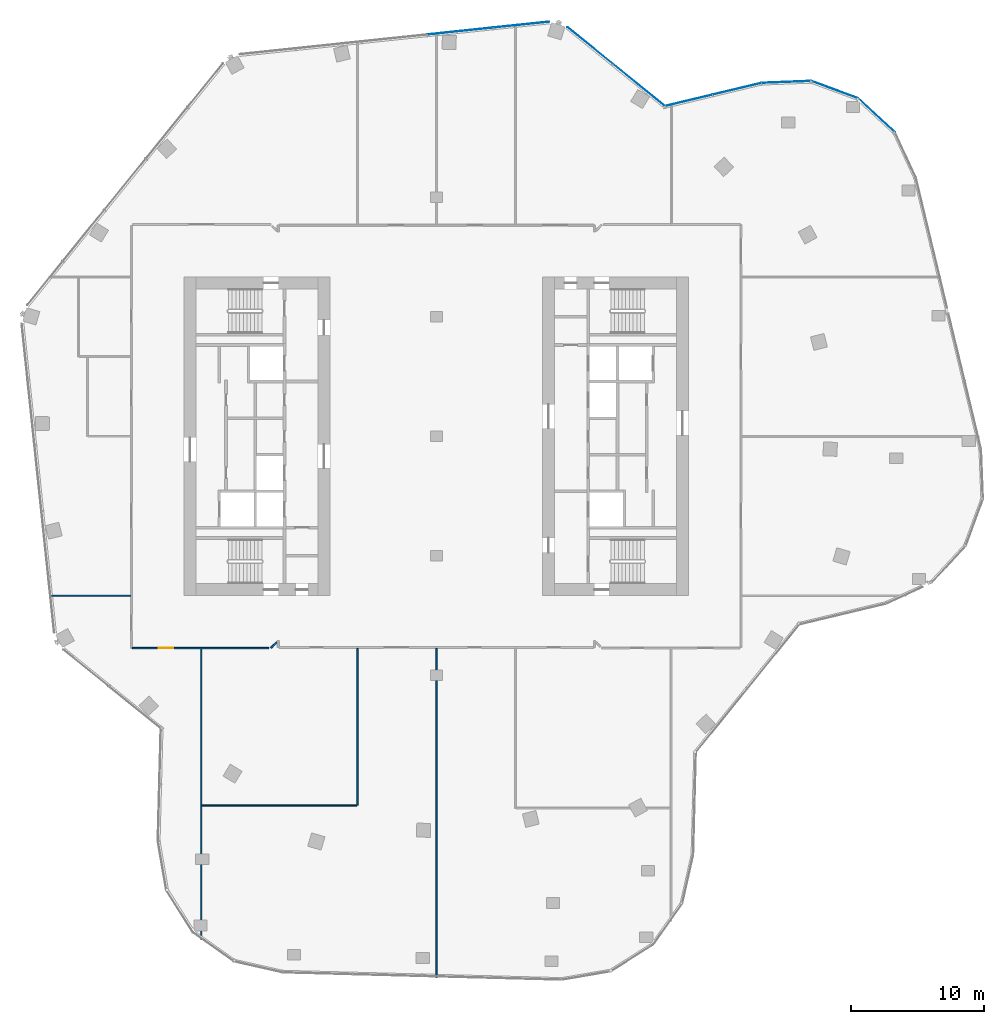
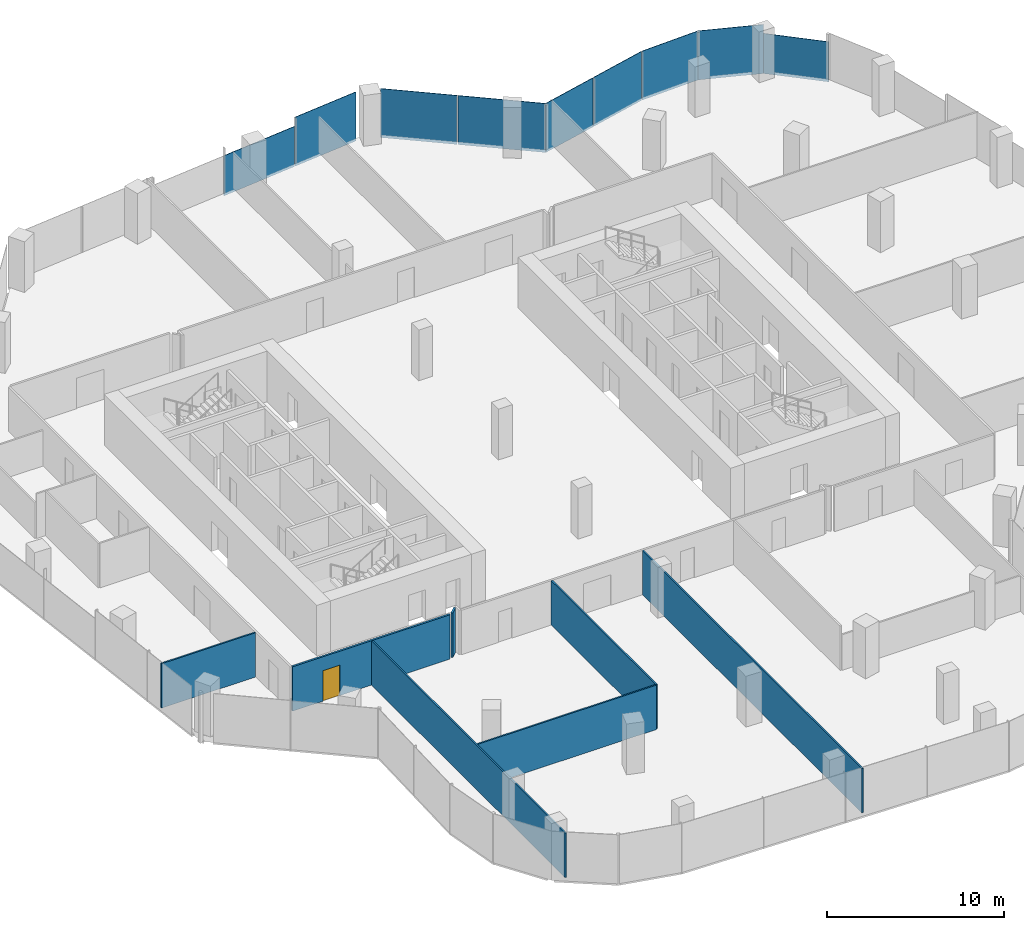
# One storey, part 17 of 23: 9 plates, 7 walls, 1 door, 1 opening, 6 elements without a shape of their own.
"""IFC4 building model written with IfcOpenShell, lengths in metres."""

from ifc_helpers import new_model, si_unit, direction, frame, frame_2d, origin, origin_2d, place, context, subcontext, project, spatial, rectangle, extrude, material, layer, layer_set, type_object, element, fill, aggregate, save


model = new_model("IFC4")

# Units and contexts
model_context = context("Model", 3, precision=1e-05, world=origin(), true_north=direction((0.0, 1.0)))
body_context = subcontext(model_context, "Body", "Model", "MODEL_VIEW")
ifc_project = project(units=[si_unit("LENGTHUNIT", "METRE"), si_unit("AREAUNIT", "SQUARE_METRE"), si_unit("VOLUMEUNIT", "CUBIC_METRE"), si_unit("PLANEANGLEUNIT", "RADIAN"), si_unit("MASSUNIT", "GRAM", prefix="KILO")], contexts=[model_context])

# Site, building, storey
site_placement = place(None, origin())
site = spatial("IfcSite", under=ifc_project, at=site_placement, CompositionType="ELEMENT")
building_placement = place(site_placement, origin())
building = spatial("IfcBuilding", under=site, at=building_placement, Name="Orlundy Tower", CompositionType="ELEMENT")
storey_placement = place(building_placement, frame((0.0, 0.0, 224.5)))
storey = spatial("IfcBuildingStorey", under=building, at=storey_placement, Name="L59", CompositionType="ELEMENT", Elevation=224.5)

# Curtain wall, plates
ifc_material_1 = material(Name="Aluminium bronze anodised", Category="aluminium")
curtain_wall_type = type_object("IfcCurtainWallType", Name="CW1 wall", PredefinedType="NOTDEFINED", material=ifc_material_1)
curtain_wall_1_placement = place(storey_placement, origin())
curtain_wall_1 = element("IfcCurtainWall", 1, at=curtain_wall_1_placement, inside=storey, type_object=curtain_wall_type, Name="CW1 run 04", PredefinedType="NOTDEFINED")
ifc_material_2 = material(Name="Tinted glass", Category="glass")
ifc_layer_1 = layer(ifc_material_2, 0.031982421875)
ifc_layer_set_1 = layer_set([ifc_layer_1], Name="CW1 glass panel 32")
plate_type = type_object("IfcPlateType", Name="CW1 glass panel 32", PredefinedType="CURTAIN_PANEL", material=ifc_layer_set_1)
plate_1_placement = place(storey_placement, frame((1.7900390625, 30.518798828125, -0.2998046875), z_axis=(0.0, 0.0, 1.0), x_axis=(0.994520875843, 0.104538162943, 0.0)))
plate_1 = element("IfcPlate", 2, at=plate_1_placement, type_object=plate_type, Name="CW1 panel", PredefinedType="CURTAIN_PANEL", context=body_context, shape_type="SweptSolid", body=[
    extrude(rectangle(XDim=4.92041015625, YDim=0.031982421875, at=origin_2d()), origin(), (0.0, 0.0, 1.0), 2.763916015625),
])
plate_2_placement = place(storey_placement, frame((6.3896484375, 31.002197265625, -0.300048828125), z_axis=(0.0, 0.0, 1.0), x_axis=(0.994520875843, 0.104538162943, 0.0)))
plate_2 = element("IfcPlate", 3, at=plate_2_placement, type_object=plate_type, Name="CW1 panel", PredefinedType="CURTAIN_PANEL", context=body_context, shape_type="SweptSolid", body=[
    extrude(rectangle(XDim=4.229248046875, YDim=0.031982421875, at=origin_2d()), origin(), (0.0, 0.0, 1.0), 3.3798828125),
])
aggregate(curtain_wall_1, [plate_1, plate_2])

curtain_wall_2_placement = place(storey_placement, origin())
curtain_wall_2 = element("IfcCurtainWall", 4, at=curtain_wall_2_placement, inside=storey, type_object=curtain_wall_type, Name="CW1 run 05", PredefinedType="NOTDEFINED")
plate_3_placement = place(storey_placement, frame((11.583251953125, 29.433837890625, -0.300048828125), z_axis=(0.0, 0.0, 1.0), x_axis=(0.777128847743, -0.629341524139, 0.0)))
plate_3 = element("IfcPlate", 5, at=plate_3_placement, type_object=plate_type, Name="CW1 panel", PredefinedType="CURTAIN_PANEL", context=body_context, shape_type="SweptSolid", body=[
    extrude(rectangle(XDim=4.37646484375, YDim=0.031982421875, at=origin_2d()), origin(), (0.0, 0.0, 1.0), 3.3798828125),
])
plate_4_placement = place(storey_placement, frame((15.2705078125, 26.44775390625, -0.300048828125), z_axis=(0.0, 0.0, 1.0), x_axis=(0.777128847743, -0.629341524139, 0.0)))
plate_4 = element("IfcPlate", 6, at=plate_4_placement, type_object=plate_type, Name="CW1 panel", PredefinedType="CURTAIN_PANEL", context=body_context, shape_type="SweptSolid", body=[
    extrude(rectangle(XDim=5.012939453125, YDim=0.031982421875, at=origin_2d()), origin(), (0.0, 0.0, 1.0), 3.3798828125),
])
aggregate(curtain_wall_2, [plate_3, plate_4])

curtain_wall_3_placement = place(storey_placement, origin())
curtain_wall_3 = element("IfcCurtainWall", 7, at=curtain_wall_3_placement, inside=storey, type_object=curtain_wall_type, Name="CW1 run 06", PredefinedType="NOTDEFINED")
plate_5_placement = place(storey_placement, frame((18.997802734375, 25.2978515625, -0.300048828125), z_axis=(0.0, 0.0, 1.0), x_axis=(0.972349931339, 0.233528608579, 0.0)))
plate_5 = element("IfcPlate", 8, at=plate_5_placement, type_object=plate_type, Name="CW1 panel", PredefinedType="CURTAIN_PANEL", context=body_context, shape_type="SweptSolid", body=[
    extrude(rectangle(XDim=3.66015625, YDim=0.031982421875, at=origin_2d()), origin(), (0.0, 0.0, 1.0), 3.3798828125),
])
plate_6_placement = place(storey_placement, frame((22.640625, 26.172607421875, -0.300048828125), z_axis=(0.0, 0.0, 1.0), x_axis=(0.972349931339, 0.233528608579, 0.0)))
plate_6 = element("IfcPlate", 9, at=plate_6_placement, type_object=plate_type, Name="CW1 panel", PredefinedType="CURTAIN_PANEL", context=body_context, shape_type="SweptSolid", body=[
    extrude(rectangle(XDim=3.732177734375, YDim=0.031982421875, at=origin_2d()), origin(), (0.0, 0.0, 1.0), 3.3798828125),
])
aggregate(curtain_wall_3, [plate_5, plate_6])

# Curtain wall, plate
curtain_wall_4_placement = place(storey_placement, origin())
curtain_wall_4 = element("IfcCurtainWall", 10, at=curtain_wall_4_placement, inside=storey, type_object=curtain_wall_type, Name="CW1 run 07", PredefinedType="NOTDEFINED")
plate_7_placement = place(storey_placement, frame((26.368408203125, 26.688232421875, -0.300048828125), z_axis=(0.0, 0.0, 1.0), x_axis=(0.999234640913, 0.039116906831, 0.0)))
plate_7 = element("IfcPlate", 11, at=plate_7_placement, type_object=plate_type, Name="CW1 panel", PredefinedType="CURTAIN_PANEL", context=body_context, shape_type="SweptSolid", body=[
    extrude(rectangle(XDim=3.73046875, YDim=0.031982421875, at=origin_2d()), origin(), (0.0, 0.0, 1.0), 3.3798828125),
])
aggregate(curtain_wall_4, [plate_7])

curtain_wall_5_placement = place(storey_placement, origin())
curtain_wall_5 = element("IfcCurtainWall", 12, at=curtain_wall_5_placement, inside=storey, type_object=curtain_wall_type, Name="CW1 run 08", PredefinedType="NOTDEFINED")
plate_8_placement = place(storey_placement, frame((30.001708984375, 26.1083984375, -0.300048828125), z_axis=(0.0, 0.0, 1.0), x_axis=(0.938200265188, -0.346092852283, 0.0)))
plate_8 = element("IfcPlate", 13, at=plate_8_placement, type_object=plate_type, Name="CW1 panel", PredefinedType="CURTAIN_PANEL", context=body_context, shape_type="SweptSolid", body=[
    extrude(rectangle(XDim=3.772216796875, YDim=0.031982421875, at=origin_2d()), origin(), (0.0, 0.0, 1.0), 3.3798828125),
])
aggregate(curtain_wall_5, [plate_8])

curtain_wall_6_placement = place(storey_placement, origin())
curtain_wall_6 = element("IfcCurtainWall", 14, at=curtain_wall_6_placement, inside=storey, type_object=curtain_wall_type, Name="CW1 run 09", PredefinedType="NOTDEFINED")
plate_9_placement = place(storey_placement, frame((33.15625, 24.175537109375, -0.2998046875), z_axis=(0.0, 0.0, 1.0), x_axis=(0.734348182738, -0.678772971258, 0.0)))
plate_9 = element("IfcPlate", 15, at=plate_9_placement, type_object=plate_type, Name="CW1 panel", PredefinedType="CURTAIN_PANEL", context=body_context, shape_type="SweptSolid", body=[
    extrude(rectangle(XDim=3.77197265625, YDim=0.031982421875, at=origin_2d()), origin(), (0.0, 0.0, 1.0), 2.763916015625),
])
aggregate(curtain_wall_6, [plate_9])

# Walls
ifc_material_3 = material(Name="Gypsum board partition")
ifc_layer_2 = layer(ifc_material_3, 0.10009765625)
ifc_layer_set_2 = layer_set([ifc_layer_2], Name="Floor partition 100")
wall_type_1 = type_object("IfcWallType", Name="Floor partition 100", PredefinedType="PARTITIONING", material=ifc_layer_set_2)
wall_1_placement = place(storey_placement, frame((-17.654052734375, -27.800048828125, 0.0), z_axis=(0.0, 0.0, 1.0), x_axis=(1.0, 0.0, 0.0)))
element("IfcWall", 16, at=wall_1_placement, inside=storey, type_object=wall_type_1, Name="wall-int-L59-004", PredefinedType="PARTITIONING", context=body_context, shape_type="SweptSolid", body=[
    extrude(rectangle(XDim=11.655029296875, YDim=0.10009765625, at=frame_2d((5.82763671875, 0.0))), origin(), (0.0, 0.0, 1.0), 3.06005859375),
])
wall_2_placement = place(storey_placement, frame((-29.156005859375, -12.0, 0.0), z_axis=(0.0, 0.0, 1.0), x_axis=(1.0, 0.0, 0.0)))
element("IfcWall", 17, at=wall_2_placement, inside=storey, type_object=wall_type_1, Name="wall-int-L59-008", PredefinedType="PARTITIONING", context=body_context, shape_type="SweptSolid", body=[
    extrude(rectangle(XDim=6.14404296875, YDim=0.10009765625, at=frame_2d((3.072021484375, 0.0))), origin(), (0.0, 0.0, 1.0), 3.06005859375),
])
wall_3_placement = place(storey_placement, frame((0.0, -40.763916015625, 0.0), z_axis=(0.0, 0.0, 1.0), x_axis=(0.0, 1.0, 0.0)))
element("IfcWall", 18, at=wall_3_placement, inside=storey, type_object=wall_type_1, Name="wall-int-L59-027", PredefinedType="PARTITIONING", context=body_context, shape_type="SweptSolid", body=[
    extrude(rectangle(XDim=24.801025390625, YDim=0.10009765625, at=frame_2d((12.400390625, 0.0))), origin(), (0.0, 0.0, 1.0), 3.06005859375),
])
wall_4_placement = place(storey_placement, frame((-5.948974609375, -27.800048828125, 0.0), z_axis=(0.0, 0.0, 1.0), x_axis=(0.0, 1.0, 0.0)))
element("IfcWall", 19, at=wall_4_placement, inside=storey, type_object=wall_type_1, Name="wall-int-L59-029", PredefinedType="PARTITIONING", context=body_context, shape_type="SweptSolid", body=[
    extrude(rectangle(XDim=11.837158203125, YDim=0.10009765625, at=frame_2d((5.91845703125, 0.0))), origin(), (0.0, 0.0, 1.0), 3.06005859375),
])
wall_5_placement = place(storey_placement, frame((-17.7041015625, -37.909912109375, 0.0), z_axis=(0.0, 0.0, 1.0), x_axis=(0.0, 1.0, 0.0)))
element("IfcWall", 20, at=wall_5_placement, inside=storey, type_object=wall_type_1, Name="wall-int-L59-033", PredefinedType="PARTITIONING", context=body_context, shape_type="SweptSolid", body=[
    extrude(rectangle(XDim=21.89599609375, YDim=0.10009765625, at=frame_2d((10.947998046875, 0.0))), origin(), (0.0, 0.0, 1.0), 3.06005859375),
])

# Wall, opening, door
ifc_material_4 = material(Name="Gypsum board partition, double layer")
ifc_layer_3 = layer(ifc_material_4, 0.125)
ifc_layer_set_3 = layer_set([ifc_layer_3], Name="Floor partition 125")
wall_type_2 = type_object("IfcWallType", Name="Floor partition 125", PredefinedType="PARTITIONING", material=ifc_layer_set_3)
wall_6_placement = place(storey_placement, frame((-12.611083984375, -15.950927734375, 0.0), z_axis=(0.0, 0.0, 1.0), x_axis=(-1.0, 0.0, 0.0)))
wall_6 = element("IfcWall", 21, at=wall_6_placement, inside=storey, type_object=wall_type_2, Name="wall-int-L59-005", PredefinedType="PARTITIONING", context=body_context, shape_type="SweptSolid", body=[
    extrude(rectangle(XDim=10.27587890625, YDim=0.125, at=frame_2d((5.137939453125, 0.0))), origin(), (0.0, 0.0, 1.0), 3.06005859375),
])
opening_placement = place(wall_6_placement, frame((7.193115234375, 0.0, 0.0)))
opening = element("IfcOpeningElement", 22, at=opening_placement, cuts=wall_6, Name="Opening 45101", PredefinedType="OPENING", context=body_context, shape_type="SweptSolid", body=[
    extrude(rectangle(XDim=1.10009765625, YDim=2.10009765625, at=frame_2d((0.550048828125, 1.050048828125))), frame((0.0, 0.072509765625, 0.0), z_axis=(0.0, -1.0, 0.0), x_axis=(1.0, 0.0, 0.0)), (0.0, 0.0, 1.0), 0.14501953125),
])
ifc_material_5 = material(Name="Timber door leaf", Category="wood")
door_type = type_object("IfcDoorType", Name="Floor door xwide 1100 FD30S", OperationType="NOTDEFINED", PredefinedType="DOOR", material=ifc_material_5)
door_placement = place(opening_placement, origin())
door = element("IfcDoor", 23, at=door_placement, inside=storey, type_object=door_type, Name="Door 45101", OperationType="SINGLE_SWING_RIGHT", OverallHeight=2.10009765625, OverallWidth=1.10009765625, PredefinedType="DOOR", context=body_context, shape_type="SweptSolid", body=[
    extrude(rectangle(XDim=1.10009765625, YDim=2.10009765625, at=frame_2d((0.550048828125, 1.050048828125))), frame((0.0, 0.02490234375, 0.0), z_axis=(0.0, -1.0, 0.0), x_axis=(1.0, 0.0, 0.0)), (0.0, 0.0, 1.0), 0.050048828125),
])
fill(opening, door)

# Wall
wall_7_placement = place(storey_placement, frame((-12.452880859375, -15.930908203125, 0.0), z_axis=(0.0, 0.0, 1.0), x_axis=(0.707106781187, 0.707106781187, 0.0)))
element("IfcWall", 24, at=wall_7_placement, inside=storey, type_object=wall_type_2, Name="wall-int-L59-018", PredefinedType="PARTITIONING", context=body_context, shape_type="SweptSolid", body=[
    extrude(rectangle(XDim=0.599365234375, YDim=0.125, at=frame_2d((0.2998046875, 0.0))), origin(), (0.0, 0.0, 1.0), 3.06005859375),
])

save(model, "model.ifc")
